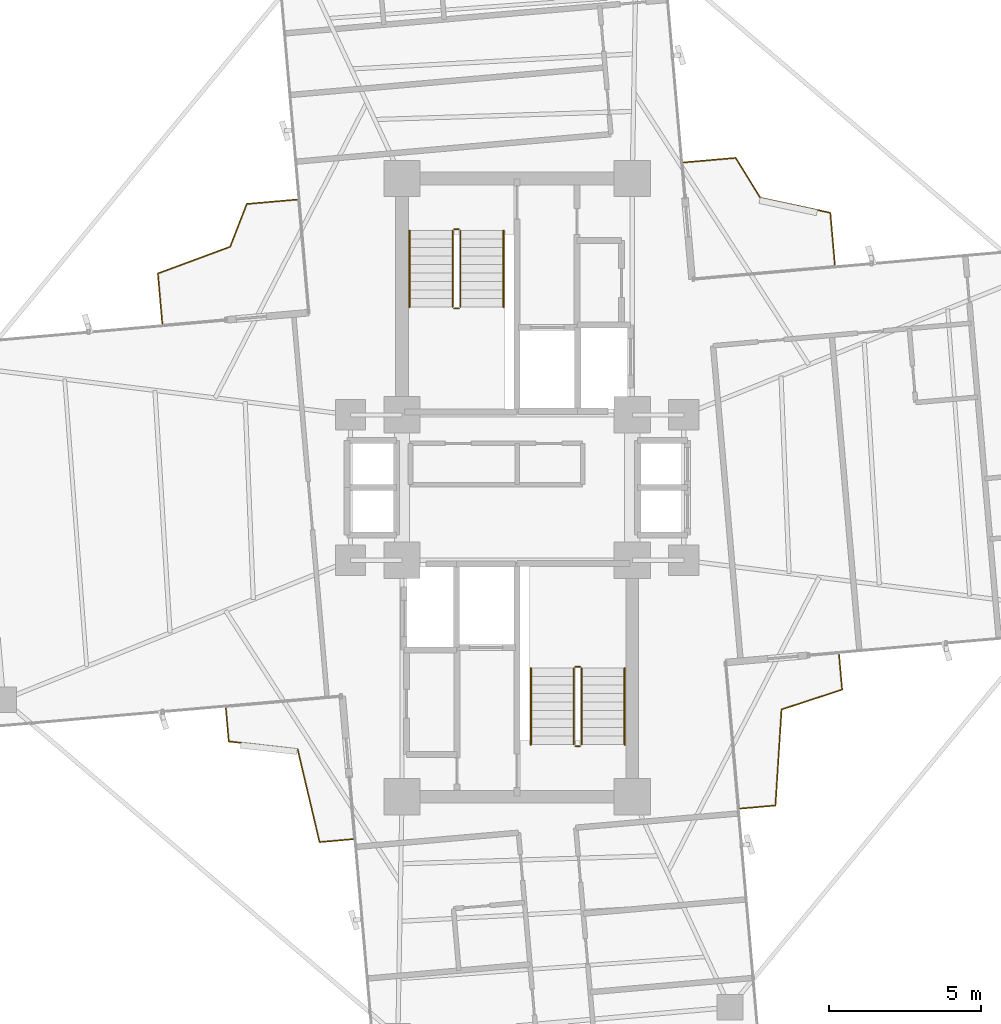
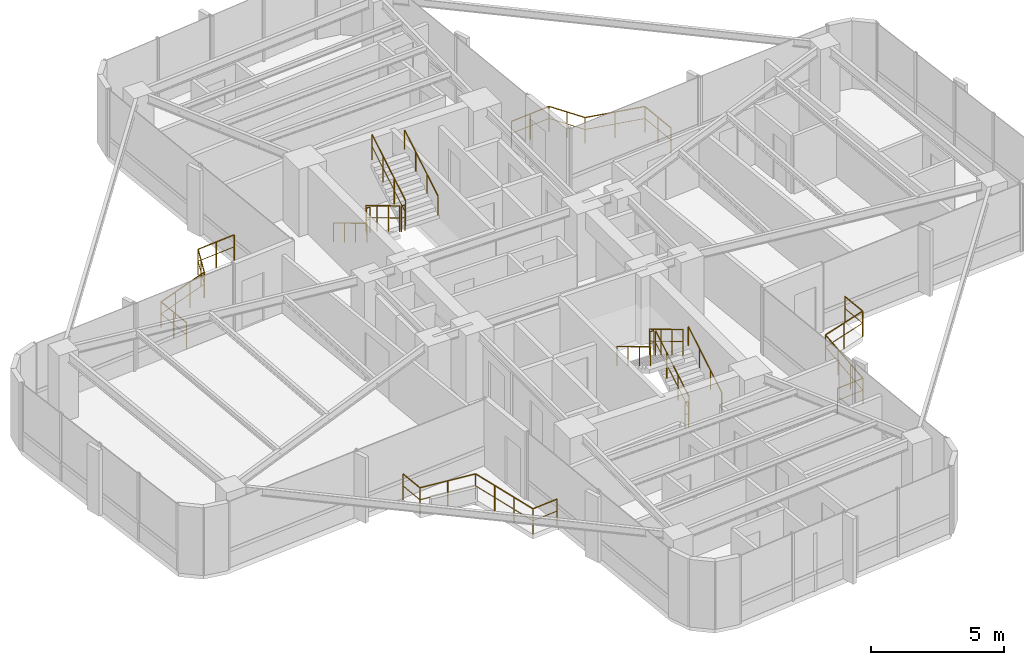
# One storey, part 24 of 24: 16 railings.
"""IFC4 building model written with IfcOpenShell, lengths in metres."""

from ifc_helpers import new_model, si_unit, direction, frame, origin, origin_2d, place, context, subcontext, project, spatial, circle, extrude, material, type_object, element, save


model = new_model("IFC4")

# Units and contexts
model_context = context("Model", 3, precision=1e-05, world=origin(), true_north=direction((0.0, 1.0)))
body_context = subcontext(model_context, "Body", "Model", "MODEL_VIEW")
ifc_project = project(units=[si_unit("LENGTHUNIT", "METRE"), si_unit("AREAUNIT", "SQUARE_METRE"), si_unit("VOLUMEUNIT", "CUBIC_METRE"), si_unit("PLANEANGLEUNIT", "RADIAN"), si_unit("MASSUNIT", "GRAM", prefix="KILO")], contexts=[model_context])

# Site, building, storey
site_placement = place(None, origin())
site = spatial("IfcSite", under=ifc_project, at=site_placement, CompositionType="ELEMENT")
building_placement = place(site_placement, origin())
building = spatial("IfcBuilding", under=site, at=building_placement, Name="Sahyath Konkavel Grand Hotel", CompositionType="ELEMENT")
storey_placement = place(building_placement, frame((0.0, 0.0, 175.199951171875)))
storey = spatial("IfcBuildingStorey", under=building, at=storey_placement, Name="L48", CompositionType="ELEMENT", Elevation=175.199951171875)

# Railings
ifc_material_1 = material(Name="Anodised Bronze Aluminium", Category="aluminium")
railing_type_1 = type_object("IfcRailingType", Name="RLG-BALC-1200", PredefinedType="GUARDRAIL", material=ifc_material_1)
railing_1_placement = place(storey_placement, frame((10.4873046875, 7.35205078125, 0.0)))
element("IfcRailing", 1, at=railing_1_placement, inside=storey, type_object=railing_type_1, Name="L48 Winter-Garden Guard NE", PredefinedType="GUARDRAIL", context=body_context, shape_type="SweptSolid", body=[
    extrude(circle(Radius=0.02392578125, at=origin_2d()), frame((-0.000244140625, 0.001953125, 1.17578125), z_axis=(-0.087191532369, 0.996191566258, 0.0), x_axis=(-0.996191566258, -0.087191532369, 0.0)), (0.0, 0.0, 1.0), 1.720947265625),
    extrude(circle(Radius=0.01416015625, at=origin_2d()), frame((-0.000244140625, 0.001953125, 0.6240234375), z_axis=(-0.087191532369, 0.996191566258, 0.0), x_axis=(-0.996191566258, -0.087191532369, 0.0)), (0.0, 0.0, 1.0), 1.720947265625),
    extrude(circle(Radius=0.02392578125, at=origin_2d()), frame((-0.15234375, 1.71875, 1.17578125), z_axis=(-0.977853783547, 0.209289220945, 0.0), x_axis=(-0.209289220945, -0.977853783547, 0.0)), (0.0, 0.0, 1.0), 2.359375),
    extrude(circle(Radius=0.01416015625, at=origin_2d()), frame((-0.15234375, 1.71875, 0.6240234375), z_axis=(-0.977853783547, 0.209289220945, 0.0), x_axis=(-0.209289220945, -0.977853783547, 0.0)), (0.0, 0.0, 1.0), 2.359375),
    extrude(circle(Radius=0.02392578125, at=origin_2d()), frame((-2.46240234375, 2.214599609375, 1.17578125), z_axis=(-0.524783913031, 0.8512354813, 0.0), x_axis=(-0.8512354813, -0.524783913031, 0.0)), (0.0, 0.0, 1.0), 1.543212890625),
    extrude(circle(Radius=0.01416015625, at=origin_2d()), frame((-2.46240234375, 2.214599609375, 0.6240234375), z_axis=(-0.524783913031, 0.8512354813, 0.0), x_axis=(-0.8512354813, -0.524783913031, 0.0)), (0.0, 0.0, 1.0), 1.543212890625),
    extrude(circle(Radius=0.02392578125, at=origin_2d()), frame((-3.275390625, 3.52978515625, 1.17578125), z_axis=(-0.996191566258, -0.087191532369, 0.0), x_axis=(0.087191532369, -0.996191566258, 0.0)), (0.0, 0.0, 1.0), 1.720947265625),
    extrude(circle(Radius=0.01416015625, at=origin_2d()), frame((-3.275390625, 3.52978515625, 0.6240234375), z_axis=(-0.996191566258, -0.087191532369, 0.0), x_axis=(0.087191532369, -0.996191566258, 0.0)), (0.0, 0.0, 1.0), 1.720947265625),
    extrude(circle(Radius=0.02099609375, at=origin_2d()), origin(), (0.0, 0.0, 1.0), 1.15185546875),
    extrude(circle(Radius=0.02099609375, at=origin_2d()), frame((-0.0751953125, 0.859130859375, 0.0)), (0.0, 0.0, 1.0), 1.15185546875),
    extrude(circle(Radius=0.02099609375, at=origin_2d()), frame((-0.150390625, 1.71826171875, 0.0)), (0.0, 0.0, 1.0), 1.15185546875),
    extrude(circle(Radius=0.02099609375, at=origin_2d()), frame((-1.305908203125, 1.965576171875, 0.0)), (0.0, 0.0, 1.0), 1.15185546875),
    extrude(circle(Radius=0.02099609375, at=origin_2d()), frame((-2.46142578125, 2.212890625, 0.0)), (0.0, 0.0, 1.0), 1.15185546875),
    extrude(circle(Radius=0.02099609375, at=origin_2d()), frame((-2.867431640625, 2.87158203125, 0.0)), (0.0, 0.0, 1.0), 1.15185546875),
    extrude(circle(Radius=0.02099609375, at=origin_2d()), frame((-3.2734375, 3.530029296875, 0.0)), (0.0, 0.0, 1.0), 1.15185546875),
    extrude(circle(Radius=0.02099609375, at=origin_2d()), frame((-4.132568359375, 3.454833984375, 0.0)), (0.0, 0.0, 1.0), 1.15185546875),
    extrude(circle(Radius=0.02099609375, at=origin_2d()), frame((-4.99169921875, 3.379638671875, 0.0)), (0.0, 0.0, 1.0), 1.15185546875),
])
railing_2_placement = place(storey_placement, frame((-7.266357421875, 9.5068359375, 0.0)))
element("IfcRailing", 2, at=railing_2_placement, inside=storey, type_object=railing_type_1, Name="L48 Winter-Garden Guard NW", PredefinedType="GUARDRAIL", context=body_context, shape_type="SweptSolid", body=[
    extrude(circle(Radius=0.02392578125, at=origin_2d()), frame((-0.001953125, -0.000244140625, 1.17578125), z_axis=(-0.996193080282, -0.087174232423, 0.0), x_axis=(0.087174232423, -0.996193080282, 0.0)), (0.0, 0.0, 1.0), 1.65966796875),
    extrude(circle(Radius=0.01416015625, at=origin_2d()), frame((-0.001953125, -0.000244140625, 0.6240234375), z_axis=(-0.996193080282, -0.087174232423, 0.0), x_axis=(0.087174232423, -0.996193080282, 0.0)), (0.0, 0.0, 1.0), 1.65966796875),
    extrude(circle(Radius=0.02392578125, at=origin_2d()), frame((-1.657958984375, -0.14697265625, 1.17578125), z_axis=(-0.362267548784, -0.932074151073, 0.0), x_axis=(0.932074151073, -0.362267548784, 0.0)), (0.0, 0.0, 1.0), 1.51220703125),
    extrude(circle(Radius=0.01416015625, at=origin_2d()), frame((-1.657958984375, -0.14697265625, 0.6240234375), z_axis=(-0.362267548784, -0.932074151073, 0.0), x_axis=(0.932074151073, -0.362267548784, 0.0)), (0.0, 0.0, 1.0), 1.51220703125),
    extrude(circle(Radius=0.02392578125, at=origin_2d()), frame((-2.20849609375, -1.55908203125, 1.17578125), z_axis=(-0.937968698052, -0.346719946751, 0.0), x_axis=(0.346719946751, -0.937968698052, 0.0)), (0.0, 0.0, 1.0), 2.537841796875),
    extrude(circle(Radius=0.01416015625, at=origin_2d()), frame((-2.20849609375, -1.55908203125, 0.6240234375), z_axis=(-0.937968698052, -0.346719946751, 0.0), x_axis=(0.346719946751, -0.937968698052, 0.0)), (0.0, 0.0, 1.0), 2.537841796875),
    extrude(circle(Radius=0.02392578125, at=origin_2d()), frame((-4.590576171875, -2.441650390625, 1.17578125), z_axis=(0.087319872329, -0.99618032499, 0.0), x_axis=(0.99618032499, 0.087319872329, 0.0)), (0.0, 0.0, 1.0), 1.65966796875),
    extrude(circle(Radius=0.01416015625, at=origin_2d()), frame((-4.590576171875, -2.441650390625, 0.6240234375), z_axis=(0.087319872329, -0.99618032499, 0.0), x_axis=(0.99618032499, 0.087319872329, 0.0)), (0.0, 0.0, 1.0), 1.65966796875),
    extrude(circle(Radius=0.02099609375, at=origin_2d()), origin(), (0.0, 0.0, 1.0), 1.15185546875),
    extrude(circle(Radius=0.02099609375, at=origin_2d()), frame((-0.82861328125, -0.072509765625, 0.0)), (0.0, 0.0, 1.0), 1.15185546875),
    extrude(circle(Radius=0.02099609375, at=origin_2d()), frame((-1.6572265625, -0.14501953125, 0.0)), (0.0, 0.0, 1.0), 1.15185546875),
    extrude(circle(Radius=0.02099609375, at=origin_2d()), frame((-1.931884765625, -0.8515625, 0.0)), (0.0, 0.0, 1.0), 1.15185546875),
    extrude(circle(Radius=0.02099609375, at=origin_2d()), frame((-2.20654296875, -1.558349609375, 0.0)), (0.0, 0.0, 1.0), 1.15185546875),
    extrude(circle(Radius=0.02099609375, at=origin_2d()), frame((-3.001220703125, -1.85205078125, 0.0)), (0.0, 0.0, 1.0), 1.15185546875),
    extrude(circle(Radius=0.02099609375, at=origin_2d()), frame((-3.796142578125, -2.14599609375, 0.0)), (0.0, 0.0, 1.0), 1.15185546875),
    extrude(circle(Radius=0.02099609375, at=origin_2d()), frame((-4.5908203125, -2.439697265625, 0.0)), (0.0, 0.0, 1.0), 1.15185546875),
    extrude(circle(Radius=0.02099609375, at=origin_2d()), frame((-4.51806640625, -3.268310546875, 0.0)), (0.0, 0.0, 1.0), 1.15185546875),
    extrude(circle(Radius=0.02099609375, at=origin_2d()), frame((-4.445556640625, -4.096923828125, 0.0)), (0.0, 0.0, 1.0), 1.15185546875),
])
railing_3_placement = place(storey_placement, frame((-9.614501953125, -7.275634765625, 0.0)))
element("IfcRailing", 3, at=railing_3_placement, inside=storey, type_object=railing_type_1, Name="L48 Winter-Garden Guard SW", PredefinedType="GUARDRAIL", context=body_context, shape_type="SweptSolid", body=[
    extrude(circle(Radius=0.02392578125, at=origin_2d()), frame((0.000244140625, -0.001953125, 1.17578125), z_axis=(0.08711496889, -0.996198264501, 0.0), x_axis=(0.996198264501, 0.08711496889, 0.0)), (0.0, 0.0, 1.0), 1.10302734375),
    extrude(circle(Radius=0.01416015625, at=origin_2d()), frame((0.000244140625, -0.001953125, 0.6240234375), z_axis=(0.08711496889, -0.996198264501, 0.0), x_axis=(0.996198264501, 0.08711496889, 0.0)), (0.0, 0.0, 1.0), 1.10302734375),
    extrude(circle(Radius=0.02392578125, at=origin_2d()), frame((0.098388671875, -1.10302734375, 1.17578125), z_axis=(0.99366039653, -0.112423379988, 0.0), x_axis=(0.112423379988, 0.99366039653, 0.0)), (0.0, 0.0, 1.0), 2.28271484375),
    extrude(circle(Radius=0.01416015625, at=origin_2d()), frame((0.098388671875, -1.10302734375, 0.6240234375), z_axis=(0.99366039653, -0.112423379988, 0.0), x_axis=(0.112423379988, 0.99366039653, 0.0)), (0.0, 0.0, 1.0), 2.28271484375),
    extrude(circle(Radius=0.02392578125, at=origin_2d()), frame((2.369140625, -1.36181640625, 1.17578125), z_axis=(0.229747815904, -0.973250194496, 0.0), x_axis=(0.973250194496, 0.229747815904, 0.0)), (0.0, 0.0, 1.0), 3.145751953125),
    extrude(circle(Radius=0.01416015625, at=origin_2d()), frame((2.369140625, -1.36181640625, 0.6240234375), z_axis=(0.229747815904, -0.973250194496, 0.0), x_axis=(0.973250194496, 0.229747815904, 0.0)), (0.0, 0.0, 1.0), 3.145751953125),
    extrude(circle(Radius=0.02392578125, at=origin_2d()), frame((3.09423828125, -4.425048828125, 1.17578125), z_axis=(0.996199937664, 0.087095833417, 0.0), x_axis=(-0.087095833417, 0.996199937664, 0.0)), (0.0, 0.0, 1.0), 1.103271484375),
    extrude(circle(Radius=0.01416015625, at=origin_2d()), frame((3.09423828125, -4.425048828125, 0.6240234375), z_axis=(0.996199937664, 0.087095833417, 0.0), x_axis=(-0.087095833417, 0.996199937664, 0.0)), (0.0, 0.0, 1.0), 1.103271484375),
    extrude(circle(Radius=0.02099609375, at=origin_2d()), origin(), (0.0, 0.0, 1.0), 1.15185546875),
    extrude(circle(Radius=0.02099609375, at=origin_2d()), frame((0.096435546875, -1.102783203125, 0.0)), (0.0, 0.0, 1.0), 1.15185546875),
    extrude(circle(Radius=0.02099609375, at=origin_2d()), frame((1.232421875, -1.2314453125, 0.0)), (0.0, 0.0, 1.0), 1.15185546875),
    extrude(circle(Radius=0.02099609375, at=origin_2d()), frame((2.36865234375, -1.35986328125, 0.0)), (0.0, 0.0, 1.0), 1.15185546875),
    extrude(circle(Radius=0.02099609375, at=origin_2d()), frame((2.60986328125, -2.381591796875, 0.0)), (0.0, 0.0, 1.0), 1.15185546875),
    extrude(circle(Radius=0.02099609375, at=origin_2d()), frame((2.85107421875, -3.403564453125, 0.0)), (0.0, 0.0, 1.0), 1.15185546875),
    extrude(circle(Radius=0.02099609375, at=origin_2d()), frame((3.09228515625, -4.42529296875, 0.0)), (0.0, 0.0, 1.0), 1.15185546875),
    extrude(circle(Radius=0.02099609375, at=origin_2d()), frame((4.1953125, -4.328857421875, 0.0)), (0.0, 0.0, 1.0), 1.15185546875),
])
railing_4_placement = place(storey_placement, frame((7.361328125, -10.5947265625, 0.0)))
element("IfcRailing", 4, at=railing_4_placement, inside=storey, type_object=railing_type_1, Name="L48 Winter-Garden Guard SE", PredefinedType="GUARDRAIL", context=body_context, shape_type="SweptSolid", body=[
    extrude(circle(Radius=0.02392578125, at=origin_2d()), frame((0.001953125, 0.000244140625, 1.17578125), z_axis=(0.996197345197, 0.087125480903, 0.0), x_axis=(-0.087125480903, 0.996197345197, 0.0)), (0.0, 0.0, 1.0), 1.16455078125),
    extrude(circle(Radius=0.01416015625, at=origin_2d()), frame((0.001953125, 0.000244140625, 0.6240234375), z_axis=(0.996197345197, 0.087125480903, 0.0), x_axis=(-0.087125480903, 0.996197345197, 0.0)), (0.0, 0.0, 1.0), 1.16455078125),
    extrude(circle(Radius=0.02392578125, at=origin_2d()), frame((1.164306640625, 0.103759765625, 1.17578125), z_axis=(0.063646402238, 0.997972512388, 0.0), x_axis=(-0.997972512388, 0.063646402238, 0.0)), (0.0, 0.0, 1.0), 3.172119140625),
    extrude(circle(Radius=0.01416015625, at=origin_2d()), frame((1.164306640625, 0.103759765625, 0.6240234375), z_axis=(0.063646402238, 0.997972512388, 0.0), x_axis=(-0.997972512388, 0.063646402238, 0.0)), (0.0, 0.0, 1.0), 3.172119140625),
    extrude(circle(Radius=0.02392578125, at=origin_2d()), frame((1.3681640625, 3.272216796875, 1.17578125), z_axis=(0.950364676522, 0.311138203406, 0.0), x_axis=(-0.311138203406, 0.950364676522, 0.0)), (0.0, 0.0, 1.0), 2.098876953125),
    extrude(circle(Radius=0.01416015625, at=origin_2d()), frame((1.3681640625, 3.272216796875, 0.6240234375), z_axis=(0.950364676522, 0.311138203406, 0.0), x_axis=(-0.311138203406, 0.950364676522, 0.0)), (0.0, 0.0, 1.0), 2.098876953125),
    extrude(circle(Radius=0.02392578125, at=origin_2d()), frame((3.364501953125, 3.927734375, 1.17578125), z_axis=(-0.087125480903, 0.996197345197, 0.0), x_axis=(-0.996197345197, -0.087125480903, 0.0)), (0.0, 0.0, 1.0), 1.16455078125),
    extrude(circle(Radius=0.01416015625, at=origin_2d()), frame((3.364501953125, 3.927734375, 0.6240234375), z_axis=(-0.087125480903, 0.996197345197, 0.0), x_axis=(-0.996197345197, -0.087125480903, 0.0)), (0.0, 0.0, 1.0), 1.16455078125),
    extrude(circle(Radius=0.02099609375, at=origin_2d()), origin(), (0.0, 0.0, 1.0), 1.15185546875),
    extrude(circle(Radius=0.02099609375, at=origin_2d()), frame((1.1640625, 0.101806640625, 0.0)), (0.0, 0.0, 1.0), 1.15185546875),
    extrude(circle(Radius=0.02099609375, at=origin_2d()), frame((1.2314453125, 1.158447265625, 0.0)), (0.0, 0.0, 1.0), 1.15185546875),
    extrude(circle(Radius=0.02099609375, at=origin_2d()), frame((1.298828125, 2.21484375, 0.0)), (0.0, 0.0, 1.0), 1.15185546875),
    extrude(circle(Radius=0.02099609375, at=origin_2d()), frame((1.3662109375, 3.271484375, 0.0)), (0.0, 0.0, 1.0), 1.15185546875),
    extrude(circle(Radius=0.02099609375, at=origin_2d()), frame((2.365478515625, 3.5986328125, 0.0)), (0.0, 0.0, 1.0), 1.15185546875),
    extrude(circle(Radius=0.02099609375, at=origin_2d()), frame((3.36474609375, 3.92578125, 0.0)), (0.0, 0.0, 1.0), 1.15185546875),
    extrude(circle(Radius=0.02099609375, at=origin_2d()), frame((3.262939453125, 5.08984375, 0.0)), (0.0, 0.0, 1.0), 1.15185546875),
])
ifc_material_2 = material(Name="Steel E350", Category="steel")
railing_type_2 = type_object("IfcRailingType", Name="RLG-STAIR-GRD", PredefinedType="GUARDRAIL", material=ifc_material_2)
railing_5_placement = place(storey_placement, frame((-2.1298828125, 8.47998046875, 0.16748046875)))
element("IfcRailing", 5, at=railing_5_placement, inside=storey, type_object=railing_type_2, Name="L48 ST-1 stair guard 1", PredefinedType="GUARDRAIL", context=body_context, shape_type="SweptSolid", body=[
    extrude(circle(Radius=0.02392578125, at=origin_2d()), frame((0.0, -0.001708984375, 1.177001953125), z_axis=(0.0, -0.858159760407, 0.513382728203), x_axis=(1.0, 0.0, 0.0)), (0.0, 0.0, 1.0), 2.9326171875),
    extrude(circle(Radius=0.01416015625, at=origin_2d()), frame((0.0, -0.001708984375, 0.625), z_axis=(0.0, -0.858159760407, 0.513382728203), x_axis=(1.0, 0.0, 0.0)), (0.0, 0.0, 1.0), 2.9326171875),
    extrude(circle(Radius=0.02099609375, at=origin_2d()), origin(), (0.0, 0.0, 1.0), 1.15185546875),
    extrude(circle(Radius=0.02099609375, at=origin_2d()), frame((0.0, -0.840087890625, 0.50244140625)), (0.0, 0.0, 1.0), 1.15185546875),
    extrude(circle(Radius=0.02099609375, at=origin_2d()), frame((0.0, -1.679931640625, 1.005126953125)), (0.0, 0.0, 1.0), 1.15185546875),
    extrude(circle(Radius=0.02099609375, at=origin_2d()), frame((0.0, -2.52001953125, 1.507568359375)), (0.0, 0.0, 1.0), 1.15185546875),
])
railing_6_placement = place(storey_placement, frame((-2.080078125, 5.909912109375, 1.675048828125)))
element("IfcRailing", 6, at=railing_6_placement, inside=storey, type_object=railing_type_2, Name="L48 ST-1 stair guard 2", PredefinedType="GUARDRAIL", context=body_context, shape_type="SweptSolid", body=[
    extrude(circle(Radius=0.02392578125, at=origin_2d()), frame((0.001953125, 0.0, 1.17578125), z_axis=(1.0, 0.0, 0.0), x_axis=(0.0, 1.0, 0.0)), (0.0, 0.0, 1.0), 0.15625),
    extrude(circle(Radius=0.01416015625, at=origin_2d()), frame((0.001953125, 0.0, 0.6240234375), z_axis=(1.0, 0.0, 0.0), x_axis=(0.0, 1.0, 0.0)), (0.0, 0.0, 1.0), 0.15625),
    extrude(circle(Radius=0.02099609375, at=origin_2d()), origin(), (0.0, 0.0, 1.0), 1.15185546875),
    extrude(circle(Radius=0.02099609375, at=origin_2d()), frame((0.16015625, 0.0, 0.0)), (0.0, 0.0, 1.0), 1.15185546875),
])
railing_7_placement = place(storey_placement, frame((-1.8701171875, 5.9599609375, 1.842529296875)))
element("IfcRailing", 7, at=railing_7_placement, inside=storey, type_object=railing_type_2, Name="L48 ST-1 stair guard 3", PredefinedType="GUARDRAIL", context=body_context, shape_type="SweptSolid", body=[
    extrude(circle(Radius=0.02392578125, at=origin_2d()), frame((0.0, 0.001708984375, 1.177001953125), z_axis=(0.0, 0.858159760407, 0.513382728203), x_axis=(-1.0, 0.0, 0.0)), (0.0, 0.0, 1.0), 2.9326171875),
    extrude(circle(Radius=0.01416015625, at=origin_2d()), frame((0.0, 0.001708984375, 0.625), z_axis=(0.0, 0.858159760407, 0.513382728203), x_axis=(-1.0, 0.0, 0.0)), (0.0, 0.0, 1.0), 2.9326171875),
    extrude(circle(Radius=0.02099609375, at=origin_2d()), origin(), (0.0, 0.0, 1.0), 1.15185546875),
    extrude(circle(Radius=0.02099609375, at=origin_2d()), frame((0.0, 0.840087890625, 0.50244140625)), (0.0, 0.0, 1.0), 1.15185546875),
    extrude(circle(Radius=0.02099609375, at=origin_2d()), frame((0.0, 1.679931640625, 1.005126953125)), (0.0, 0.0, 1.0), 1.15185546875),
    extrude(circle(Radius=0.02099609375, at=origin_2d()), frame((0.0, 2.52001953125, 1.507568359375)), (0.0, 0.0, 1.0), 1.15185546875),
])
railing_8_placement = place(storey_placement, frame((-2.080078125, 8.530029296875, 0.0)))
element("IfcRailing", 8, at=railing_8_placement, inside=storey, type_object=railing_type_2, Name="L48 ST-1 stair guard 4", PredefinedType="GUARDRAIL", context=body_context, shape_type="SweptSolid", body=[
    extrude(circle(Radius=0.02392578125, at=origin_2d()), frame((0.001953125, 0.0, 1.17578125), z_axis=(1.0, 0.0, 0.0), x_axis=(0.0, 1.0, 0.0)), (0.0, 0.0, 1.0), 0.15625),
    extrude(circle(Radius=0.01416015625, at=origin_2d()), frame((0.001953125, 0.0, 0.6240234375), z_axis=(1.0, 0.0, 0.0), x_axis=(0.0, 1.0, 0.0)), (0.0, 0.0, 1.0), 0.15625),
    extrude(circle(Radius=0.02099609375, at=origin_2d()), origin(), (0.0, 0.0, 1.0), 1.15185546875),
    extrude(circle(Radius=0.02099609375, at=origin_2d()), frame((0.16015625, 0.0, 0.0)), (0.0, 0.0, 1.0), 1.15185546875),
])
railing_9_placement = place(storey_placement, frame((2.1298828125, -8.47998046875, 0.16748046875)))
element("IfcRailing", 9, at=railing_9_placement, inside=storey, type_object=railing_type_2, Name="L48 ST-2 stair guard 1", PredefinedType="GUARDRAIL", context=body_context, shape_type="SweptSolid", body=[
    extrude(circle(Radius=0.02392578125, at=origin_2d()), frame((0.0, 0.001708984375, 1.177001953125), z_axis=(0.0, 0.858159760407, 0.513382728203), x_axis=(-1.0, 0.0, 0.0)), (0.0, 0.0, 1.0), 2.9326171875),
    extrude(circle(Radius=0.01416015625, at=origin_2d()), frame((0.0, 0.001708984375, 0.625), z_axis=(0.0, 0.858159760407, 0.513382728203), x_axis=(-1.0, 0.0, 0.0)), (0.0, 0.0, 1.0), 2.9326171875),
    extrude(circle(Radius=0.02099609375, at=origin_2d()), origin(), (0.0, 0.0, 1.0), 1.15185546875),
    extrude(circle(Radius=0.02099609375, at=origin_2d()), frame((0.0, 0.840087890625, 0.50244140625)), (0.0, 0.0, 1.0), 1.15185546875),
    extrude(circle(Radius=0.02099609375, at=origin_2d()), frame((0.0, 1.679931640625, 1.005126953125)), (0.0, 0.0, 1.0), 1.15185546875),
    extrude(circle(Radius=0.02099609375, at=origin_2d()), frame((0.0, 2.52001953125, 1.507568359375)), (0.0, 0.0, 1.0), 1.15185546875),
])
railing_10_placement = place(storey_placement, frame((2.080078125, -5.909912109375, 1.675048828125)))
element("IfcRailing", 10, at=railing_10_placement, inside=storey, type_object=railing_type_2, Name="L48 ST-2 stair guard 2", PredefinedType="GUARDRAIL", context=body_context, shape_type="SweptSolid", body=[
    extrude(circle(Radius=0.02392578125, at=origin_2d()), frame((-0.001953125, 0.0, 1.17578125), z_axis=(-1.0, 0.0, 0.0), x_axis=(0.0, -1.0, 0.0)), (0.0, 0.0, 1.0), 0.15625),
    extrude(circle(Radius=0.01416015625, at=origin_2d()), frame((-0.001953125, 0.0, 0.6240234375), z_axis=(-1.0, 0.0, 0.0), x_axis=(0.0, -1.0, 0.0)), (0.0, 0.0, 1.0), 0.15625),
    extrude(circle(Radius=0.02099609375, at=origin_2d()), origin(), (0.0, 0.0, 1.0), 1.15185546875),
    extrude(circle(Radius=0.02099609375, at=origin_2d()), frame((-0.16015625, 0.0, 0.0)), (0.0, 0.0, 1.0), 1.15185546875),
])
railing_11_placement = place(storey_placement, frame((1.8701171875, -5.9599609375, 1.842529296875)))
element("IfcRailing", 11, at=railing_11_placement, inside=storey, type_object=railing_type_2, Name="L48 ST-2 stair guard 3", PredefinedType="GUARDRAIL", context=body_context, shape_type="SweptSolid", body=[
    extrude(circle(Radius=0.02392578125, at=origin_2d()), frame((0.0, -0.001708984375, 1.177001953125), z_axis=(0.0, -0.858159760407, 0.513382728203), x_axis=(1.0, 0.0, 0.0)), (0.0, 0.0, 1.0), 2.9326171875),
    extrude(circle(Radius=0.01416015625, at=origin_2d()), frame((0.0, -0.001708984375, 0.625), z_axis=(0.0, -0.858159760407, 0.513382728203), x_axis=(1.0, 0.0, 0.0)), (0.0, 0.0, 1.0), 2.9326171875),
    extrude(circle(Radius=0.02099609375, at=origin_2d()), origin(), (0.0, 0.0, 1.0), 1.15185546875),
    extrude(circle(Radius=0.02099609375, at=origin_2d()), frame((0.0, -0.840087890625, 0.50244140625)), (0.0, 0.0, 1.0), 1.15185546875),
    extrude(circle(Radius=0.02099609375, at=origin_2d()), frame((0.0, -1.679931640625, 1.005126953125)), (0.0, 0.0, 1.0), 1.15185546875),
    extrude(circle(Radius=0.02099609375, at=origin_2d()), frame((0.0, -2.52001953125, 1.507568359375)), (0.0, 0.0, 1.0), 1.15185546875),
])
railing_12_placement = place(storey_placement, frame((2.080078125, -8.530029296875, 0.0)))
element("IfcRailing", 12, at=railing_12_placement, inside=storey, type_object=railing_type_2, Name="L48 ST-2 stair guard 4", PredefinedType="GUARDRAIL", context=body_context, shape_type="SweptSolid", body=[
    extrude(circle(Radius=0.02392578125, at=origin_2d()), frame((-0.001953125, 0.0, 1.17578125), z_axis=(-1.0, 0.0, 0.0), x_axis=(0.0, -1.0, 0.0)), (0.0, 0.0, 1.0), 0.15625),
    extrude(circle(Radius=0.01416015625, at=origin_2d()), frame((-0.001953125, 0.0, 0.6240234375), z_axis=(-1.0, 0.0, 0.0), x_axis=(0.0, -1.0, 0.0)), (0.0, 0.0, 1.0), 0.15625),
    extrude(circle(Radius=0.02099609375, at=origin_2d()), origin(), (0.0, 0.0, 1.0), 1.15185546875),
    extrude(circle(Radius=0.02099609375, at=origin_2d()), frame((-0.16015625, 0.0, 0.0)), (0.0, 0.0, 1.0), 1.15185546875),
])
railing_type_3 = type_object("IfcRailingType", Name="RLG-STAIR-HND", PredefinedType="HANDRAIL", material=ifc_material_1)
railing_13_placement = place(storey_placement, frame((-3.550048828125, 8.47998046875, 0.16748046875)))
element("IfcRailing", 13, at=railing_13_placement, inside=storey, type_object=railing_type_3, Name="L48 ST-1 stair handrail 1", PredefinedType="HANDRAIL", context=body_context, shape_type="SweptSolid", body=[
    extrude(circle(Radius=0.02392578125, at=origin_2d()), frame((0.0, -0.001708984375, 0.876953125), z_axis=(0.0, -0.858159760407, 0.513382728203), x_axis=(1.0, 0.0, 0.0)), (0.0, 0.0, 1.0), 2.9326171875),
    extrude(circle(Radius=0.02099609375, at=origin_2d()), origin(), (0.0, 0.0, 1.0), 0.851806640625),
    extrude(circle(Radius=0.02099609375, at=origin_2d()), frame((0.0, -0.840087890625, 0.50244140625)), (0.0, 0.0, 1.0), 0.851806640625),
    extrude(circle(Radius=0.02099609375, at=origin_2d()), frame((0.0, -1.679931640625, 1.005126953125)), (0.0, 0.0, 1.0), 0.851806640625),
    extrude(circle(Radius=0.02099609375, at=origin_2d()), frame((0.0, -2.52001953125, 1.507568359375)), (0.0, 0.0, 1.0), 0.851806640625),
])
for number, where, name in (
    (14, (-0.449951171875, 5.9599609375, 1.842529296875), "L48 ST-1 stair handrail 2"),
    (15, (3.550048828125, -8.47998046875, 0.16748046875), "L48 ST-2 stair handrail 1"),
):
    element("IfcRailing", number, at=place(storey_placement, frame(where)), inside=storey, type_object=railing_type_3, Name=name, PredefinedType="HANDRAIL", context=body_context, shape_type="SweptSolid", body=[
        extrude(circle(Radius=0.02392578125, at=origin_2d()), frame((0.0, 0.001708984375, 0.876953125), z_axis=(0.0, 0.858159760407, 0.513382728203), x_axis=(-1.0, 0.0, 0.0)), (0.0, 0.0, 1.0), 2.9326171875),
        extrude(circle(Radius=0.02099609375, at=origin_2d()), origin(), (0.0, 0.0, 1.0), 0.851806640625),
        extrude(circle(Radius=0.02099609375, at=origin_2d()), frame((0.0, 0.840087890625, 0.50244140625)), (0.0, 0.0, 1.0), 0.851806640625),
        extrude(circle(Radius=0.02099609375, at=origin_2d()), frame((0.0, 1.679931640625, 1.005126953125)), (0.0, 0.0, 1.0), 0.851806640625),
        extrude(circle(Radius=0.02099609375, at=origin_2d()), frame((0.0, 2.52001953125, 1.507568359375)), (0.0, 0.0, 1.0), 0.851806640625),
    ])
railing_14_placement = place(storey_placement, frame((0.449951171875, -5.9599609375, 1.842529296875)))
element("IfcRailing", 16, at=railing_14_placement, inside=storey, type_object=railing_type_3, Name="L48 ST-2 stair handrail 2", PredefinedType="HANDRAIL", context=body_context, shape_type="SweptSolid", body=[
    extrude(circle(Radius=0.02392578125, at=origin_2d()), frame((0.0, -0.001708984375, 0.876953125), z_axis=(0.0, -0.858159760407, 0.513382728203), x_axis=(1.0, 0.0, 0.0)), (0.0, 0.0, 1.0), 2.9326171875),
    extrude(circle(Radius=0.02099609375, at=origin_2d()), origin(), (0.0, 0.0, 1.0), 0.851806640625),
    extrude(circle(Radius=0.02099609375, at=origin_2d()), frame((0.0, -0.840087890625, 0.50244140625)), (0.0, 0.0, 1.0), 0.851806640625),
    extrude(circle(Radius=0.02099609375, at=origin_2d()), frame((0.0, -1.679931640625, 1.005126953125)), (0.0, 0.0, 1.0), 0.851806640625),
    extrude(circle(Radius=0.02099609375, at=origin_2d()), frame((0.0, -2.52001953125, 1.507568359375)), (0.0, 0.0, 1.0), 0.851806640625),
])

save(model, "model.ifc")
